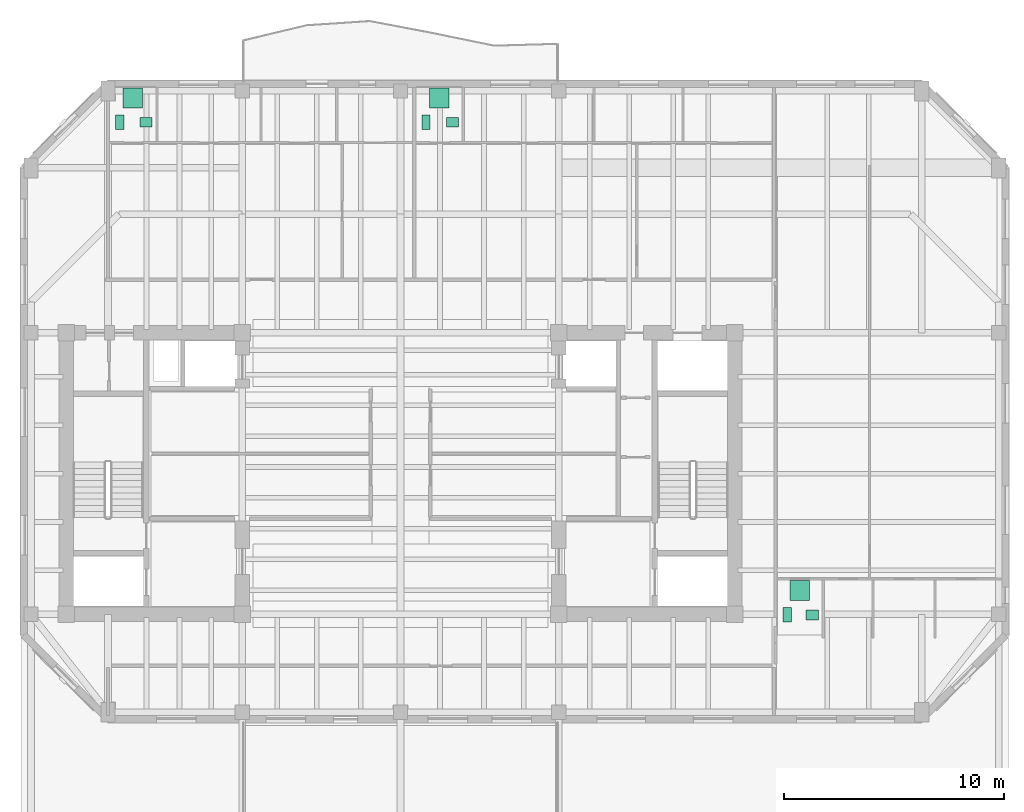
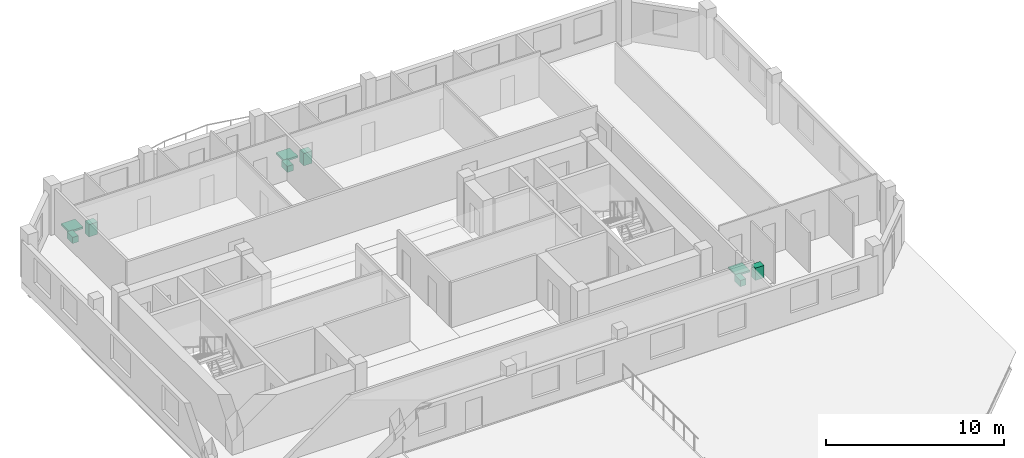
# One storey, part 10 of 10: 9 sanitary terminals.
"""IFC4 building model written with IfcOpenShell, lengths in metres."""

from ifc_helpers import new_model, si_unit, direction, frame, origin, origin_2d, place, context, subcontext, project, spatial, rectangle, extrude, material, type_object, element, save


model = new_model("IFC4")

# Units and contexts
model_context = context("Model", 3, precision=1e-05, world=origin(), true_north=direction((0.0, 1.0)))
body_context = subcontext(model_context, "Body", "Model", "MODEL_VIEW")
ifc_project = project(units=[si_unit("LENGTHUNIT", "METRE"), si_unit("AREAUNIT", "SQUARE_METRE"), si_unit("VOLUMEUNIT", "CUBIC_METRE"), si_unit("PLANEANGLEUNIT", "RADIAN"), si_unit("MASSUNIT", "GRAM", prefix="KILO")], contexts=[model_context])

# Site, building, storey
site_placement = place(None, origin())
site = spatial("IfcSite", under=ifc_project, at=site_placement, CompositionType="ELEMENT")
building_placement = place(site_placement, origin())
building = spatial("IfcBuilding", under=site, at=building_placement, Name="Kranthara Brick Stack", CompositionType="ELEMENT")
storey_placement = place(building_placement, frame((0.0, 0.0, 248.300048828125)))
storey = spatial("IfcBuildingStorey", under=building, at=storey_placement, Name="L65", CompositionType="ELEMENT", Elevation=248.300048828125)

# Sanitary terminals
ifc_material_1 = material(Name="Vitreous china sanitary porcelain", Category="other")
sanitary_terminal_type_1 = type_object("IfcSanitaryTerminalType", Name="SAN-BASIN", PredefinedType="WASHHANDBASIN", material=ifc_material_1)
for number, where, z_axis, x_axis, name in (
    (1, (16.429931640625, 43.175048828125, 0.0), (0.0, 0.0, 1.0), (1.0, 0.0, 0.0), "L65 Washbasin 343"),
    (2, (30.35888671875, 43.175048828125, 0.0), (0.0, 0.0, 1.0), (1.0, 0.0, 0.0), "L65 Washbasin 344"),
    (3, (46.72412109375, 20.77490234375, 0.0), (0.0, 0.0, 1.0), (1.0, 0.0, 0.0), "L65 Washbasin 345"),
):
    element("IfcSanitaryTerminal", number, at=place(storey_placement, frame(where, z_axis=z_axis, x_axis=x_axis)), inside=storey, type_object=sanitary_terminal_type_1, Name=name, PredefinedType="WASHHANDBASIN", context=body_context, shape_type="SweptSolid", body=[
        extrude(rectangle(XDim=0.550048828125, YDim=0.449951171875, at=origin_2d()), origin(), (0.0, 0.0, 1.0), 0.85009765625),
    ])
ifc_material_2 = material(Name="Acrylic and porcelain shower tray", Category="other")
sanitary_terminal_type_2 = type_object("IfcSanitaryTerminalType", Name="SAN-SHOWER", PredefinedType="SHOWER", material=ifc_material_2)
for number, where, z_axis, x_axis, name in (
    (4, (15.830078125, 44.280029296875, 0.0), (0.0, 0.0, 1.0), (1.0, 0.0, 0.0), "L65 Shower Tray 343"),
    (5, (29.759033203125, 44.280029296875, 0.0), (0.0, 0.0, 1.0), (1.0, 0.0, 0.0), "L65 Shower Tray 344"),
    (6, (46.156982421875, 21.8798828125, 0.0), (0.0, 0.0, 1.0), (1.0, 0.0, 0.0), "L65 Shower Tray 345"),
):
    element("IfcSanitaryTerminal", number, at=place(storey_placement, frame(where, z_axis=z_axis, x_axis=x_axis)), inside=storey, type_object=sanitary_terminal_type_2, Name=name, PredefinedType="SHOWER", context=body_context, shape_type="SweptSolid", body=[
        extrude(rectangle(XDim=0.89990234375, YDim=0.89990234375, at=origin_2d()), origin(), (0.0, 0.0, 1.0), 0.1201171875),
    ])
ifc_material_3 = material(Name="Vitreous china sanitary porcelain", Category="other")
sanitary_terminal_type_3 = type_object("IfcSanitaryTerminalType", Name="SAN-WC-PAN", PredefinedType="TOILETPAN", material=ifc_material_3)
for number, where, z_axis, x_axis, name in (
    (7, (15.22998046875, 43.175048828125, 0.0), (0.0, 0.0, 1.0), (1.0, 0.0, 0.0), "L65 WC Pan 343"),
    (8, (29.158935546875, 43.175048828125, 0.0), (0.0, 0.0, 1.0), (1.0, 0.0, 0.0), "L65 WC Pan 344"),
    (9, (45.590087890625, 20.77490234375, 0.0), (0.0, 0.0, 1.0), (1.0, 0.0, 0.0), "L65 WC Pan 345"),
):
    element("IfcSanitaryTerminal", number, at=place(storey_placement, frame(where, z_axis=z_axis, x_axis=x_axis)), inside=storey, type_object=sanitary_terminal_type_3, Name=name, PredefinedType="TOILETPAN", context=body_context, shape_type="SweptSolid", body=[
        extrude(rectangle(XDim=0.3798828125, YDim=0.64990234375, at=origin_2d()), origin(), (0.0, 0.0, 1.0), 0.419921875),
    ])

save(model, "model.ifc")
